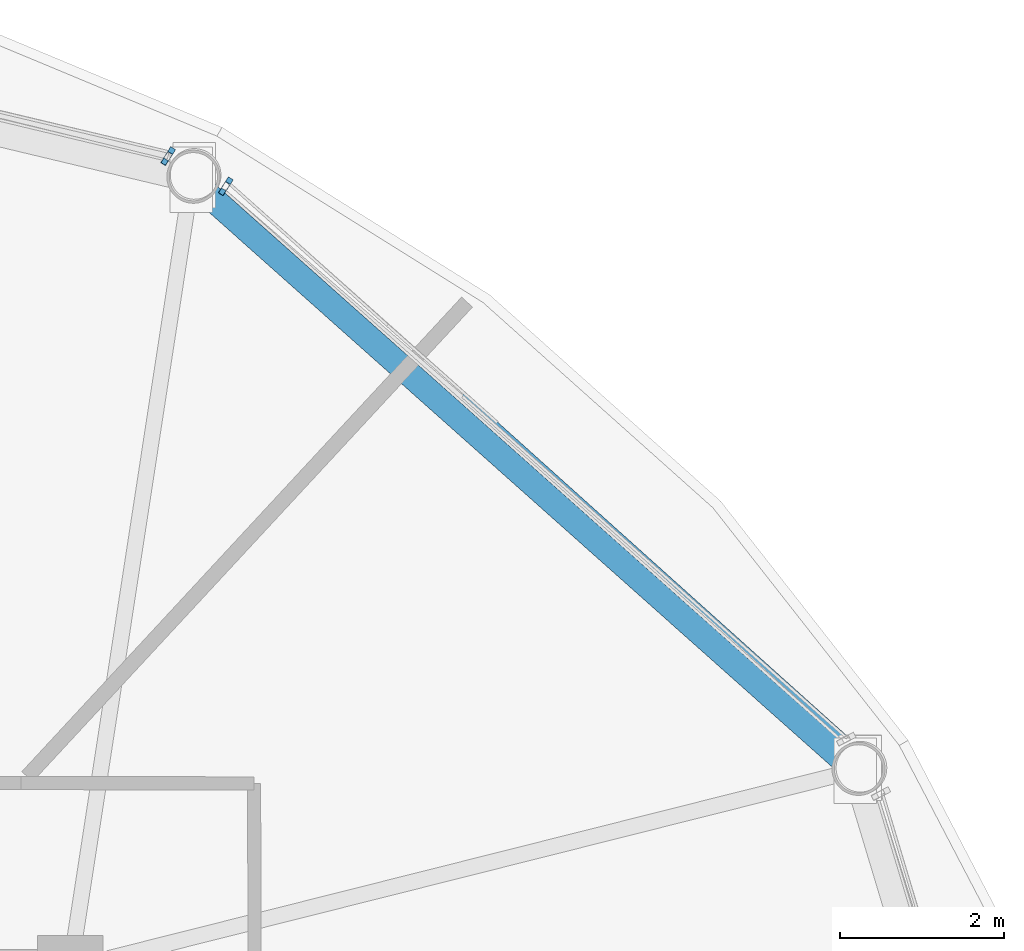
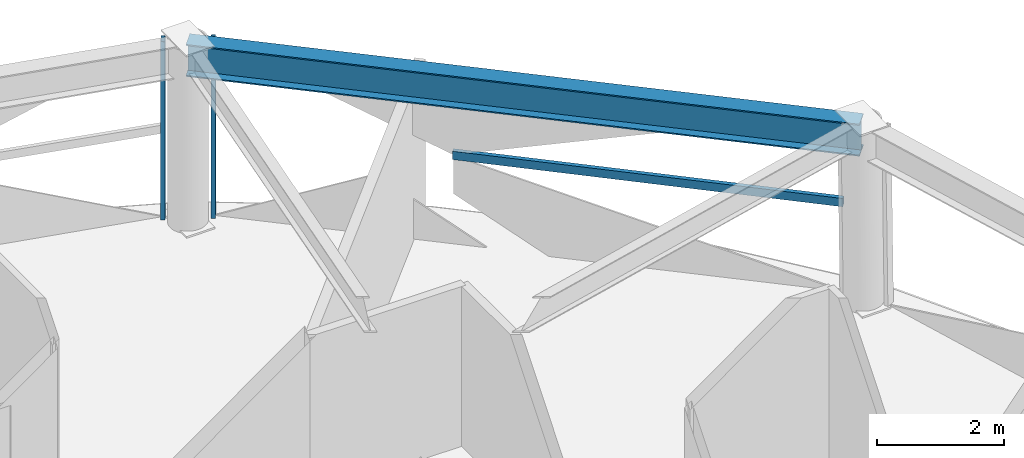
# One storey, part 7 of 17: 3 members, 1 beam, 2 elements without a shape of their own.
"""IFC4 building model written with IfcOpenShell, lengths in metres."""

import ifcopenshell
import ifcopenshell.guid

model = None  # the IFC model being written
_history = None  # IfcOwnerHistory: only IFC2X3 demands one
_inside = {}  # id of a spatial element -> (the spatial element, [elements in it])
_under = {}  # id of a project, library or spatial element -> (it, [spatial elements below it])
_declared = {}  # id of a project -> (the project, [libraries it declares])
_typed = {}  # id of a type object -> (the type object, [elements of that type])
_made_of = {}  # id of a material, layer set ... -> (it, [elements and type objects made of it])


def new_model(schema):
    """Start an empty IFC model of exactly this schema.

    Asked for "IFC4X3", IfcOpenShell would pick the latest addendum, in which some entities
    have other attributes; the version numbers below select the first issue.
    IFC2X3 requires an IfcOwnerHistory on every rooted entity: one is made here for all.
    """
    global model, _history
    if schema == "IFC4X3":
        model = ifcopenshell.file(schema_version=(4, 3, 0, 0))
    else:
        model = ifcopenshell.file(schema=schema)
    _inside.clear()
    _under.clear()
    _declared.clear()
    _typed.clear()
    _made_of.clear()
    _history = None
    if model.schema == "IFC2X3":
        org = make("IfcOrganization", Name="unknown")
        user = make(
            "IfcPersonAndOrganization",
            ThePerson=make("IfcPerson", FamilyName="unknown"),
            TheOrganization=org,
        )
        app = make(
            "IfcApplication",
            ApplicationDeveloper=org,
            Version="unknown",
            ApplicationFullName="unknown",
            ApplicationIdentifier="unknown",
        )
        _history = make(
            "IfcOwnerHistory",
            OwningUser=user,
            OwningApplication=app,
            ChangeAction="ADDED",
            CreationDate=0,
        )
    return model


def make(cls, **values):
    """One entity of the class cls with the attributes given. An attribute that is None is left unset."""
    return model.create_entity(
        cls, **{name: value for name, value in values.items() if value is not None}
    )


def rooted(cls, **values):
    """An entity with a GlobalId (a new one), such as an element, a storey or a relation."""
    return make(cls, GlobalId=ifcopenshell.guid.new(), OwnerHistory=_history, **values)


def si_unit(unit_type, name, prefix=None):
    """IfcSIUnit, for example si_unit("LENGTHUNIT", "METRE", prefix="MILLI")."""
    return make("IfcSIUnit", UnitType=unit_type, Prefix=prefix, Name=name)


def assignment(units):
    """IfcUnitAssignment: the units of a project."""
    return None if units is None else make("IfcUnitAssignment", Units=units)


def point(xyz):
    """IfcCartesianPoint."""
    return None if xyz is None else make("IfcCartesianPoint", Coordinates=xyz)


def direction(xyz):
    """IfcDirection."""
    return None if xyz is None else make("IfcDirection", DirectionRatios=xyz)


def frame(location, z_axis=None, x_axis=None):
    """IfcAxis2Placement3D, a coordinate frame: its origin and axes. An axis left out is left unset."""
    return make(
        "IfcAxis2Placement3D",
        Location=point(location),
        Axis=direction(z_axis),
        RefDirection=direction(x_axis),
    )


def frame_2d(location, x_axis=None):
    """IfcAxis2Placement2D, a coordinate frame in the plane: its origin and x axis."""
    return make(
        "IfcAxis2Placement2D", Location=point(location), RefDirection=direction(x_axis)
    )


def origin():
    """The frame at (0, 0, 0) with its axes left unset."""
    return frame((0.0, 0.0, 0.0))


def origin_2d():
    """The frame at (0, 0) in the plane with its x axis left unset."""
    return frame_2d((0.0, 0.0))


def place(relative_to, where):
    """IfcLocalPlacement: puts the frame where relative to a parent placement (None: the world)."""
    return make(
        "IfcLocalPlacement", PlacementRelTo=relative_to, RelativePlacement=where
    )


def context(
    kind, dimensions, precision=None, world=None, true_north=None, identifier=None
):
    """IfcGeometricRepresentationContext, for example the 3D "Model" context."""
    return make(
        "IfcGeometricRepresentationContext",
        ContextIdentifier=identifier,
        ContextType=kind,
        CoordinateSpaceDimension=dimensions,
        Precision=precision,
        WorldCoordinateSystem=world,
        TrueNorth=true_north,
    )


def subcontext(parent, identifier, kind, view, scale=None):
    """IfcGeometricRepresentationSubContext, for example "Body" below "Model"."""
    return make(
        "IfcGeometricRepresentationSubContext",
        ContextIdentifier=identifier,
        ContextType=kind,
        ParentContext=parent,
        TargetScale=scale,
        TargetView=view,
    )


def project(units=None, contexts=None):
    """IfcProject with its units and contexts."""
    return rooted(
        "IfcProject",
        Name="project",
        RepresentationContexts=contexts,
        UnitsInContext=assignment(units),
    )


def spatial(cls, under=None, at=None, **own):
    """A site, building, storey or space (cls), placed at a placement, below another one or the project."""
    s = rooted(cls, ObjectPlacement=at, **own)
    if under is not None:
        _under.setdefault(under.id(), (under, []))[1].append(s)
    return s


def profile(cls, at=None, kind="AREA", **sizes):
    """A parametric profile (cls). Its sizes go by their IFC names, for example OverallWidth=200.0."""
    return make(cls, ProfileType=kind, Position=at, **sizes)


def hollow_rectangle(**sizes):
    """IfcRectangleHollowProfileDef."""
    return profile("IfcRectangleHollowProfileDef", **sizes)


def i_section(**sizes):
    """IfcIShapeProfileDef."""
    return profile("IfcIShapeProfileDef", **sizes)


def extrude(swept, where, along, depth):
    """IfcExtrudedAreaSolid: the profile swept, set in the frame where, extruded along a direction by depth."""
    return make(
        "IfcExtrudedAreaSolid",
        SweptArea=swept,
        Position=where,
        ExtrudedDirection=direction(along),
        Depth=depth,
    )


def shape(context_of_items, identifier, shape_type, items):
    """IfcShapeRepresentation: the items that make up one representation, for example the "Body"."""
    return make(
        "IfcShapeRepresentation",
        ContextOfItems=context_of_items,
        RepresentationIdentifier=identifier,
        RepresentationType=shape_type,
        Items=items,
    )


def material(Name=None, Category=None):
    """IfcMaterial."""
    return make("IfcMaterial", Name=Name, Category=Category)


def layer(
    of_material, thickness, ventilated=None, Name=None, Category=None, Priority=None
):
    """IfcMaterialLayer: one layer of a wall or slab, of a material (None: an air gap)."""
    return make(
        "IfcMaterialLayer",
        Material=of_material,
        LayerThickness=thickness,
        IsVentilated=ventilated,
        Name=Name,
        Category=Category,
        Priority=Priority,
    )


def layer_set(layers, Name=None):
    """IfcMaterialLayerSet."""
    return make("IfcMaterialLayerSet", MaterialLayers=layers, LayerSetName=Name)


def material_profile(
    of_material, cross_section, Name=None, Category=None, Priority=None
):
    """IfcMaterialProfile: a cross section and its material."""
    return make(
        "IfcMaterialProfile",
        Name=Name,
        Material=of_material,
        Profile=cross_section,
        Priority=Priority,
        Category=Category,
    )


def profile_set(profiles, Name=None, composite=None):
    """IfcMaterialProfileSet."""
    return make(
        "IfcMaterialProfileSet",
        Name=Name,
        MaterialProfiles=profiles,
        CompositeProfile=composite,
    )


def made_of(thing, what):
    """Note that an element or type object is made of a material, layer set ...; save() writes the relation."""
    if what is not None:
        _made_of.setdefault(what.id(), (what, []))[1].append(thing)
    return thing


def type_object(cls, material=None, **own):
    """A type object (cls), such as IfcWallType, which elements share."""
    return made_of(rooted(cls, **own), material)


def element(
    cls,
    number,
    at=None,
    inside=None,
    cuts=None,
    type_object=None,
    material=None,
    context=None,
    identifier="Body",
    shape_type=None,
    held_by="IfcProductDefinitionShape",
    body=None,
    shapes=None,
    **own,
):
    """One element of the class cls, such as IfcWall. Its Tag is "e" and its number.

    at: its placement. inside: the storey or other place that contains it. cuts: it is an
    opening in that element (IfcRelVoidsElement). A single representation is given by context,
    identifier, shape_type and body (its items); several are given by shapes. held_by: the class
    of the entity that holds the representations. save() writes the other relations.
    """
    e = rooted(cls, Tag="e%d" % number, ObjectPlacement=at, **own)
    if body is not None:
        shapes = [shape(context, identifier, shape_type, body)]
    if shapes is not None:
        e.Representation = make(held_by, Representations=shapes)
    if inside is not None:
        _inside.setdefault(inside.id(), (inside, []))[1].append(e)
    if cuts is not None:
        rooted(
            "IfcRelVoidsElement", RelatingBuildingElement=cuts, RelatedOpeningElement=e
        )
    if type_object is not None:
        _typed.setdefault(type_object.id(), (type_object, []))[1].append(e)
    return made_of(e, material)


def aggregate(whole, parts):
    """IfcRelAggregates: a whole, such as a stair, and the parts it consists of."""
    return rooted("IfcRelAggregates", RelatingObject=whole, RelatedObjects=parts)


def save(model, path):
    """Write the relations noted so far, then the file.

    IfcRelAggregates (storeys below a building ...), IfcRelContainedInSpatialStructure (elements
    in a storey), IfcRelDefinesByType, IfcRelAssociatesMaterial and IfcRelDeclares: one each for
    every whole, place, type object, material and project.
    """
    for whole, parts in _under.values():
        aggregate(whole, parts)
    for where, things in _inside.values():
        rooted(
            "IfcRelContainedInSpatialStructure",
            RelatedElements=things,
            RelatingStructure=where,
        )
    for kind, things in _typed.values():
        rooted("IfcRelDefinesByType", RelatedObjects=things, RelatingType=kind)
    for what, things in _made_of.values():
        rooted("IfcRelAssociatesMaterial", RelatedObjects=things, RelatingMaterial=what)
    for by, libraries in _declared.values():
        rooted("IfcRelDeclares", RelatingContext=by, RelatedDefinitions=libraries)
    model.write(path)


model = new_model("IFC4")

# Units and contexts
model_context = context("Model", 3, precision=1e-05, world=origin(), true_north=direction((0.0, 1.0)))
body_context = subcontext(model_context, "Body", "Model", "MODEL_VIEW")
ifc_project = project(units=[si_unit("LENGTHUNIT", "METRE"), si_unit("AREAUNIT", "SQUARE_METRE"), si_unit("VOLUMEUNIT", "CUBIC_METRE"), si_unit("PLANEANGLEUNIT", "RADIAN"), si_unit("MASSUNIT", "GRAM", prefix="KILO")], contexts=[model_context])

# Site, building, storey
site_placement = place(None, origin())
site = spatial("IfcSite", under=ifc_project, at=site_placement, CompositionType="ELEMENT")
building_placement = place(site_placement, origin())
building = spatial("IfcBuilding", under=site, at=building_placement, Name="Vantalir Tower", CompositionType="ELEMENT")
storey_placement = place(building_placement, frame((0.0, 0.0, 208.64990234375)))
storey = spatial("IfcBuildingStorey", under=building, at=storey_placement, Name="L52", CompositionType="ELEMENT", Elevation=208.64990234375)

# Beam
ifc_material_1 = material(Name="Steel S460", Category="steel")
ifc_material_profile_1 = material_profile(ifc_material_1, i_section(OverallWidth=0.306884765625, OverallDepth=0.6201171875, WebThickness=0.01416015625, FlangeThickness=0.023681640625, at=origin_2d()), Name="Steel S460")
ifc_profile_set_1 = profile_set([ifc_material_profile_1], Name="Steel S460")
beam_type = type_object("IfcBeamType", Name="BM-RG-610x305", PredefinedType="USERDEFINED", material=ifc_profile_set_1)
beam_placement = place(storey_placement, frame((50.69189453125, 34.863037109375, 3.260009765625), z_axis=(-0.746931612302, 0.664900869712, 0.0), x_axis=(-0.664900869712, -0.746931612302, 0.0)))
element("IfcBeam", 1, at=beam_placement, inside=storey, type_object=beam_type, Name="L52 Circumferential Ring Girder 02", ObjectType="GIRDER", PredefinedType="USERDEFINED", context=body_context, shape_type="SweptSolid", body=[
    extrude(i_section(OverallWidth=0.306884765625, OverallDepth=0.6201171875, WebThickness=0.01416015625, FlangeThickness=0.023681640625, at=origin_2d()), origin(), (0.0, 0.0, 1.0), 10.860107421875),
])

# Curtain wall, member
ifc_material_2 = material(Name="Champagne-silver PVDF aluminium and double-silver Low-E glass", Category="aluminium")
ifc_layer = layer(ifc_material_2, 0.2099609375)
ifc_layer_set = layer_set([ifc_layer], Name="Champagne-silver PVDF aluminium and double-silver Low-E glass")
curtain_wall_type = type_object("IfcCurtainWallType", Name="CW-DIAMOND-Z3", PredefinedType="USERDEFINED", material=ifc_layer_set)
curtain_wall_1_placement = place(storey_placement, origin())
curtain_wall_1 = element("IfcCurtainWall", 2, at=curtain_wall_1_placement, inside=storey, type_object=curtain_wall_type, Name="L52 Quilted Pyramid-Diamond Curtain Wall S02", ObjectType="UNITISED CURTAIN WALL", PredefinedType="USERDEFINED")
ifc_material_3 = material(Name="Champagne-silver PVDF aluminium 6063-T6", Category="aluminium")
ifc_material_profile_2 = material_profile(ifc_material_3, hollow_rectangle(XDim=0.070068359375, YDim=0.1650390625, WallThickness=0.00390625, at=origin_2d()), Name="Champagne-silver PVDF aluminium 6063-T6")
ifc_profile_set_2 = profile_set([ifc_material_profile_2], Name="Champagne-silver PVDF aluminium 6063-T6")
member_type_1 = type_object("IfcMemberType", Name="CWM-165x70", PredefinedType="MULLION", material=ifc_profile_set_2)
member_1_placement = place(storey_placement, frame((43.01806640625, 42.032958984375, 0.045166015625), z_axis=(-0.010381104051, -0.016343224621, 0.999812548275), x_axis=(0.844108715031, -0.536172059333, 0.0)))
member_1 = element("IfcMember", 3, at=member_1_placement, type_object=member_type_1, Name="CW-L52-S02 Mullion 2", PredefinedType="MULLION", context=body_context, shape_type="SweptSolid", body=[
    extrude(hollow_rectangle(XDim=0.070068359375, YDim=0.1650390625, WallThickness=0.00390625, at=origin_2d()), origin(), (0.0, 0.0, 1.0), 3.480712890625),
])

curtain_wall_2_placement = place(storey_placement, origin())
curtain_wall_2 = element("IfcCurtainWall", 4, at=curtain_wall_2_placement, inside=storey, type_object=curtain_wall_type, Name="L52 Quilted Pyramid-Diamond Curtain Wall S03", ObjectType="UNITISED CURTAIN WALL", PredefinedType="USERDEFINED")
member_2_placement = place(storey_placement, frame((42.31298828125, 42.40087890625, 0.045166015625), z_axis=(-0.010310968939, -0.016343236481, 0.999813273837), x_axis=(0.845747563059, -0.533583226479, 0.0)))
member_2 = element("IfcMember", 5, at=member_2_placement, type_object=member_type_1, Name="CW-L52-S03 Mullion 1", PredefinedType="MULLION", context=body_context, shape_type="SweptSolid", body=[
    extrude(hollow_rectangle(XDim=0.070068359375, YDim=0.1650390625, WallThickness=0.00390625, at=origin_2d()), origin(), (0.0, 0.0, 1.0), 3.480712890625),
])
aggregate(curtain_wall_2, [member_2])

# Member
ifc_material_profile_3 = material_profile(ifc_material_3, hollow_rectangle(XDim=0.074951171875, YDim=0.159912109375, WallThickness=0.00390625, at=origin_2d()), Name="Champagne-silver PVDF aluminium 6063-T6")
ifc_profile_set_3 = profile_set([ifc_material_profile_3], Name="Champagne-silver PVDF aluminium 6063-T6")
member_type_2 = type_object("IfcMemberType", Name="CWT-160x75", PredefinedType="USERDEFINED", material=ifc_profile_set_3)
member_3_placement = place(storey_placement, frame((50.58203125, 35.2470703125, 1.78515625), z_axis=(-0.743976320967, 0.668205981596, 0.0), x_axis=(-0.668205981596, -0.743976320967, 0.0)))
member_3 = element("IfcMember", 6, at=member_3_placement, type_object=member_type_2, Name="CW-L52-S02 Pyramid Fold Ridge Transom", ObjectType="TRANSOM", PredefinedType="USERDEFINED", context=body_context, shape_type="SweptSolid", body=[
    extrude(hollow_rectangle(XDim=0.074951171875, YDim=0.159912109375, WallThickness=0.00390625, at=origin_2d()), origin(), (0.0, 0.0, 1.0), 6.2958984375),
])

aggregate(curtain_wall_1, [member_1, member_3])

save(model, "model.ifc")
